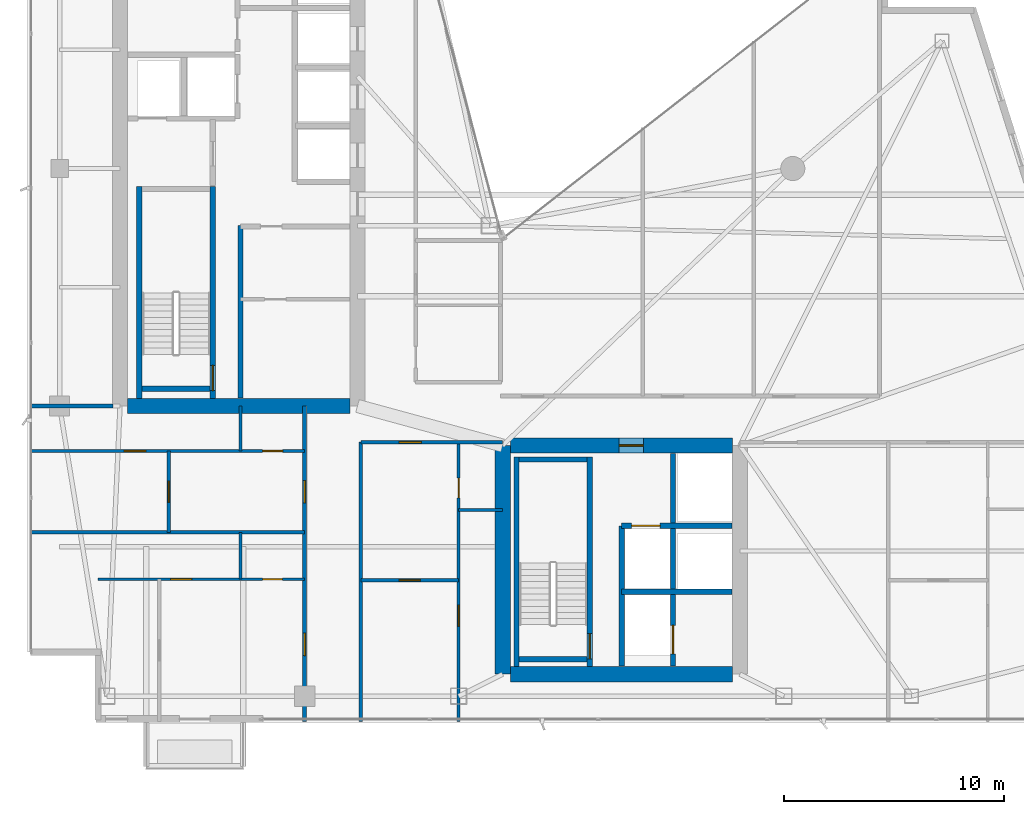
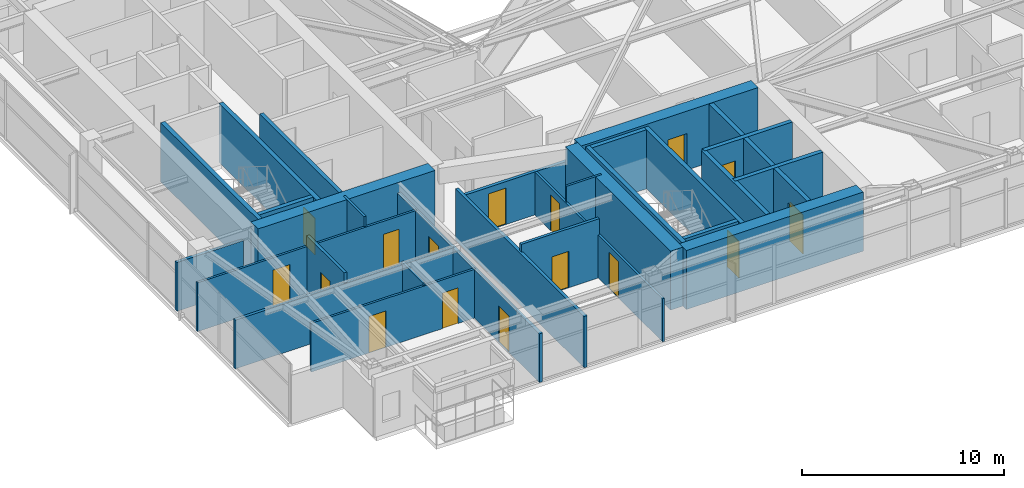
# One storey, part 24 of 30: 29 walls, 16 doors, 16 openings.
"""IFC4 building model written with IfcOpenShell, lengths in metres."""

from ifc_helpers import new_model, si_unit, direction, frame, frame_2d, origin, place, context, subcontext, project, spatial, rectangle, extrude, material, layer, layer_set, type_object, element, fill, save


model = new_model("IFC4")

# Units and contexts
model_context = context("Model", 3, precision=1e-05, world=origin(), true_north=direction((0.0, 1.0)))
body_context = subcontext(model_context, "Body", "Model", "MODEL_VIEW")
ifc_project = project(units=[si_unit("LENGTHUNIT", "METRE"), si_unit("AREAUNIT", "SQUARE_METRE"), si_unit("VOLUMEUNIT", "CUBIC_METRE"), si_unit("PLANEANGLEUNIT", "RADIAN"), si_unit("MASSUNIT", "GRAM", prefix="KILO")], contexts=[model_context])

# Site, building, storey
site_placement = place(None, origin())
site = spatial("IfcSite", under=ifc_project, at=site_placement, CompositionType="ELEMENT")
building_placement = place(site_placement, origin())
building = spatial("IfcBuilding", under=site, at=building_placement, Name="Calvorn Quay Hotel", CompositionType="ELEMENT")
storey_placement = place(building_placement, frame((0.0, 0.0, 207.199951171875)))
storey = spatial("IfcBuildingStorey", under=building, at=storey_placement, Name="L51", CompositionType="ELEMENT", Elevation=207.199951171875)

# Walls
ifc_material_1 = material(Name="Concrete C45", Category="concrete")
ifc_layer_1 = layer(ifc_material_1, 0.699951171875)
ifc_layer_set_1 = layer_set([ifc_layer_1], Name="WL-CORE-700")
wall_type_1 = type_object("IfcWallType", Name="WL-CORE-700", PredefinedType="SHEAR", material=ifc_layer_set_1)
wall_1_placement = place(storey_placement, frame((4.550048828125, 16.800048828125, 0.0), z_axis=(0.0, 0.0, 1.0), x_axis=(1.0, 0.0, 0.0)))
element("IfcWall", 1, at=wall_1_placement, inside=storey, type_object=wall_type_1, Name="West Core Shear Wall S (L51)", PredefinedType="SHEAR", context=body_context, shape_type="SweptSolid", body=[
    extrude(rectangle(XDim=10.099853515625, YDim=0.699951171875, at=frame_2d((5.0498046875, 0.0))), origin(), (0.0, 0.0, 1.0), 3.56005859375),
])
wall_2_placement = place(storey_placement, frame((21.60009765625, 4.60009765625, 0.0), z_axis=(0.0, 0.0, 1.0), x_axis=(0.0, 1.0, 0.0)))
element("IfcWall", 2, at=wall_2_placement, inside=storey, type_object=wall_type_1, Name="East Core Shear Wall W (L51)", PredefinedType="SHEAR", context=body_context, shape_type="SweptSolid", body=[
    extrude(rectangle(XDim=10.39990234375, YDim=0.699951171875, at=frame_2d((5.199951171875, 0.0))), origin(), (0.0, 0.0, 1.0), 3.56005859375),
])

# Wall, opening, door
wall_3_placement = place(storey_placement, frame((21.949951171875, 15.0, 0.0), z_axis=(0.0, 0.0, 1.0), x_axis=(1.0, 0.0, 0.0)))
wall_3 = element("IfcWall", 3, at=wall_3_placement, inside=storey, type_object=wall_type_1, Name="East Core Shear Wall N (L51)", PredefinedType="SHEAR", context=body_context, shape_type="SweptSolid", body=[
    extrude(rectangle(XDim=10.10009765625, YDim=0.699951171875, at=frame_2d((5.050048828125, 0.0))), origin(), (0.0, 0.0, 1.0), 3.56005859375),
])
opening_1_placement = place(wall_3_placement, frame((4.949951171875, 0.0, 0.0)))
opening_1 = element("IfcOpeningElement", 4, at=opening_1_placement, cuts=wall_3, Name="Opening D-L51-FLE", PredefinedType="OPENING", context=body_context, shape_type="SweptSolid", body=[
    extrude(rectangle(XDim=1.10009765625, YDim=2.199951171875, at=frame_2d((0.550048828125, 1.10009765625))), frame((0.0, 0.35986328125, 0.0), z_axis=(0.0, -1.0, 0.0), x_axis=(1.0, 0.0, 0.0)), (0.0, 0.0, 1.0), 0.719970703125),
])
ifc_material_2 = material(Name="Smoke-Sealed Steel Class A Fire Door", Category="steel")
door_type_1 = type_object("IfcDoorType", Name="DR-FFLOBBY-1100", OperationType="NOTDEFINED", PredefinedType="DOOR", material=ifc_material_2)
door_1_placement = place(opening_1_placement, origin())
door_1 = element("IfcDoor", 5, at=door_1_placement, inside=storey, type_object=door_type_1, Name="East Firefighting Lobby Fire Door (L51)", OperationType="SINGLE_SWING_LEFT", OverallHeight=2.199951171875, OverallWidth=1.10009765625, PredefinedType="DOOR", context=body_context, shape_type="SweptSolid", body=[
    extrude(rectangle(XDim=1.10009765625, YDim=2.199951171875, at=frame_2d((0.550048828125, 1.10009765625))), frame((0.0, 0.02490234375, 0.0), z_axis=(0.0, -1.0, 0.0), x_axis=(1.0, 0.0, 0.0)), (0.0, 0.0, 1.0), 0.050048828125),
])
fill(opening_1, door_1)

# Walls
wall_4_placement = place(storey_placement, frame((21.949951171875, 4.60009765625, 0.0), z_axis=(0.0, 0.0, 1.0), x_axis=(1.0, 0.0, 0.0)))
element("IfcWall", 6, at=wall_4_placement, inside=storey, type_object=wall_type_1, Name="East Core Shear Wall S (L51)", PredefinedType="SHEAR", context=body_context, shape_type="SweptSolid", body=[
    extrude(rectangle(XDim=10.10009765625, YDim=0.699951171875, at=frame_2d((5.050048828125, 0.0))), origin(), (0.0, 0.0, 1.0), 3.56005859375),
])
ifc_material_3 = material(Name="Acoustic Fireboard Steel-Stud Partition", Category="steel")
ifc_layer_2 = layer(ifc_material_3, 0.179931640625)
ifc_layer_set_2 = layer_set([ifc_layer_2], Name="WL-CORR-FIRE-180")
wall_type_2 = type_object("IfcWallType", Name="WL-CORR-FIRE-180", PredefinedType="PARTITIONING", material=ifc_layer_set_2)
wall_5_placement = place(storey_placement, frame((0.080078125, 16.800048828125, 0.0), z_axis=(0.0, 0.0, 1.0), x_axis=(1.0, 0.0, 0.0)))
element("IfcWall", 7, at=wall_5_placement, inside=storey, type_object=wall_type_2, Name="Partition Wall L51-WL-WBAY-S-WALL", PredefinedType="PARTITIONING", context=body_context, shape_type="SweptSolid", body=[
    extrude(rectangle(XDim=3.7998046875, YDim=0.179931640625, at=frame_2d((1.89990234375, 0.0))), origin(), (0.0, 0.0, 1.0), 2.93994140625),
])

# Wall, openings, doors
wall_6_placement = place(storey_placement, frame((12.60009765625, 2.43994140625, 0.0), z_axis=(0.0, 0.0, 1.0), x_axis=(0.0, 1.0, 0.0)))
wall_6 = element("IfcWall", 8, at=wall_6_placement, inside=storey, type_object=wall_type_2, Name="Partition Wall L51-WL-CORR-SW-LEG-W", PredefinedType="PARTITIONING", context=body_context, shape_type="SweptSolid", body=[
    extrude(rectangle(XDim=14.360107421875, YDim=0.179931640625, at=frame_2d((7.18017578125, 0.0))), origin(), (0.0, 0.0, 1.0), 2.93994140625),
])
opening_2_placement = place(wall_6_placement, frame((3.010009765625, 0.0, 0.0)))
opening_2 = element("IfcOpeningElement", 9, at=opening_2_placement, cuts=wall_6, Name="Opening D-L51-U01", PredefinedType="OPENING", context=body_context, shape_type="SweptSolid", body=[
    extrude(rectangle(XDim=1.02001953125, YDim=2.199951171875, at=frame_2d((0.510009765625, 1.10009765625))), frame((0.0, 0.099853515625, 0.0), z_axis=(0.0, -1.0, 0.0), x_axis=(1.0, 0.0, 0.0)), (0.0, 0.0, 1.0), 0.199951171875),
])
opening_3_placement = place(wall_6_placement, frame((9.949951171875, 0.0, 0.0)))
opening_3 = element("IfcOpeningElement", 10, at=opening_3_placement, cuts=wall_6, Name="Opening D-L51-U02", PredefinedType="OPENING", context=body_context, shape_type="SweptSolid", body=[
    extrude(rectangle(XDim=1.02001953125, YDim=2.199951171875, at=frame_2d((0.510009765625, 1.10009765625))), frame((0.0, 0.099853515625, 0.0), z_axis=(0.0, -1.0, 0.0), x_axis=(1.0, 0.0, 0.0)), (0.0, 0.0, 1.0), 0.199951171875),
])
ifc_material_4 = material(Name="Solid-Core Walnut Veneer Hotel Fire Door")
door_type_2 = type_object("IfcDoorType", Name="DR-GUEST-ENTRY-1020", OperationType="NOTDEFINED", PredefinedType="DOOR", material=ifc_material_4)
door_2_placement = place(opening_2_placement, origin())
door_2 = element("IfcDoor", 11, at=door_2_placement, inside=storey, type_object=door_type_2, Name="South-West Unit Door U01 (L51)", OperationType="SINGLE_SWING_LEFT", OverallHeight=2.199951171875, OverallWidth=1.02001953125, PredefinedType="DOOR", context=body_context, shape_type="SweptSolid", body=[
    extrude(rectangle(XDim=1.02001953125, YDim=2.199951171875, at=frame_2d((0.510009765625, 1.10009765625))), frame((0.0, 0.02490234375, 0.0), z_axis=(0.0, -1.0, 0.0), x_axis=(1.0, 0.0, 0.0)), (0.0, 0.0, 1.0), 0.050048828125),
])
fill(opening_2, door_2)
door_3_placement = place(opening_3_placement, origin())
door_3 = element("IfcDoor", 12, at=door_3_placement, inside=storey, type_object=door_type_2, Name="South-West Unit Door U02 (L51)", OperationType="SINGLE_SWING_RIGHT", OverallHeight=2.199951171875, OverallWidth=1.02001953125, PredefinedType="DOOR", context=body_context, shape_type="SweptSolid", body=[
    extrude(rectangle(XDim=1.02001953125, YDim=2.199951171875, at=frame_2d((0.510009765625, 1.10009765625))), frame((0.0, 0.02490234375, 0.0), z_axis=(0.0, -1.0, 0.0), x_axis=(1.0, 0.0, 0.0)), (0.0, 0.0, 1.0), 0.050048828125),
])
fill(opening_3, door_3)

# Wall
wall_7_placement = place(storey_placement, frame((15.14990234375, 2.43994140625, 0.0), z_axis=(0.0, 0.0, 1.0), x_axis=(0.0, 1.0, 0.0)))
element("IfcWall", 13, at=wall_7_placement, inside=storey, type_object=wall_type_2, Name="Partition Wall L51-WL-CORR-SW-W", PredefinedType="PARTITIONING", context=body_context, shape_type="SweptSolid", body=[
    extrude(rectangle(XDim=12.7099609375, YDim=0.179931640625, at=frame_2d((6.35498046875, 0.0))), origin(), (0.0, 0.0, 1.0), 3.090087890625),
])

# Wall, opening, door
wall_8_placement = place(storey_placement, frame((15.14990234375, 15.14990234375, 0.0), z_axis=(0.0, 0.0, 1.0), x_axis=(1.0, 0.0, 0.0)))
wall_8 = element("IfcWall", 14, at=wall_8_placement, inside=storey, type_object=wall_type_2, Name="Partition Wall L51-WL-SC-CORR-S", PredefinedType="PARTITIONING", context=body_context, shape_type="SweptSolid", body=[
    extrude(rectangle(XDim=6.4501953125, YDim=0.179931640625, at=frame_2d((3.22509765625, 0.0))), origin(), (0.0, 0.0, 1.0), 2.590087890625),
])
opening_4_placement = place(wall_8_placement, frame((1.739990234375, 0.0, 0.0)))
opening_4 = element("IfcOpeningElement", 15, at=opening_4_placement, cuts=wall_8, Name="Opening D-L51-U03", PredefinedType="OPENING", context=body_context, shape_type="SweptSolid", body=[
    extrude(rectangle(XDim=1.02001953125, YDim=2.199951171875, at=frame_2d((0.510009765625, 1.10009765625))), frame((0.0, 0.099853515625, 0.0), z_axis=(0.0, -1.0, 0.0), x_axis=(1.0, 0.0, 0.0)), (0.0, 0.0, 1.0), 0.199951171875),
])
door_4_placement = place(opening_4_placement, origin())
door_4 = element("IfcDoor", 16, at=door_4_placement, inside=storey, type_object=door_type_2, Name="Harbour Central Unit Door (L51)", OperationType="SINGLE_SWING_LEFT", OverallHeight=2.199951171875, OverallWidth=1.02001953125, PredefinedType="DOOR", context=body_context, shape_type="SweptSolid", body=[
    extrude(rectangle(XDim=1.02001953125, YDim=2.199951171875, at=frame_2d((0.510009765625, 1.10009765625))), frame((0.0, 0.02490234375, 0.0), z_axis=(0.0, -1.0, 0.0), x_axis=(1.0, 0.0, 0.0)), (0.0, 0.0, 1.0), 0.050048828125),
])
fill(opening_4, door_4)

# Wall
ifc_material_5 = material(Name="Moisture-Resistant Tile-Backed Partition")
ifc_layer_3 = layer(ifc_material_5, 0.125)
ifc_layer_set_3 = layer_set([ifc_layer_3], Name="WL-ENSUITE-125")
wall_type_3 = type_object("IfcWallType", Name="WL-ENSUITE-125", PredefinedType="PARTITIONING", material=ifc_layer_set_3)
wall_9_placement = place(storey_placement, frame((9.679931640625, 8.919921875, 0.0), z_axis=(0.0, 0.0, 1.0), x_axis=(0.0, 1.0, 0.0)))
element("IfcWall", 17, at=wall_9_placement, inside=storey, type_object=wall_type_3, Name="Partition Wall L51-WL-U01-BDV", PredefinedType="PARTITIONING", context=body_context, shape_type="SweptSolid", body=[
    extrude(rectangle(XDim=2.130126953125, YDim=0.125, at=frame_2d((1.06494140625, 0.0))), origin(), (0.0, 0.0, 1.0), 3.090087890625),
])

# Wall, openings, doors
wall_10_placement = place(storey_placement, frame((3.199951171875, 8.919921875, 0.0), z_axis=(0.0, 0.0, 1.0), x_axis=(1.0, 0.0, 0.0)))
wall_10 = element("IfcWall", 18, at=wall_10_placement, inside=storey, type_object=wall_type_3, Name="Partition Wall L51-WL-U01-BH", PredefinedType="PARTITIONING", context=body_context, shape_type="SweptSolid", body=[
    extrude(rectangle(XDim=9.400146484375, YDim=0.125, at=frame_2d((4.7001953125, 0.0))), origin(), (0.0, 0.0, 1.0), 2.93994140625),
])
opening_5_placement = place(wall_10_placement, frame((3.300048828125, 0.0, 0.0)))
opening_5 = element("IfcOpeningElement", 19, at=opening_5_placement, cuts=wall_10, Name="Opening D-L51-S01", PredefinedType="OPENING", context=body_context, shape_type="SweptSolid", body=[
    extrude(rectangle(XDim=0.9599609375, YDim=2.199951171875, at=frame_2d((0.47998046875, 1.10009765625))), frame((0.0, 0.072509765625, 0.0), z_axis=(0.0, -1.0, 0.0), x_axis=(1.0, 0.0, 0.0)), (0.0, 0.0, 1.0), 0.14501953125),
])
opening_6_placement = place(wall_10_placement, frame((7.489990234375, 0.0, 0.0)))
opening_6 = element("IfcOpeningElement", 20, at=opening_6_placement, cuts=wall_10, Name="Opening D-L51-E01", PredefinedType="OPENING", context=body_context, shape_type="SweptSolid", body=[
    extrude(rectangle(XDim=0.89990234375, YDim=2.14990234375, at=frame_2d((0.449951171875, 1.074951171875))), frame((0.0, 0.072509765625, 0.0), z_axis=(0.0, -1.0, 0.0), x_axis=(1.0, 0.0, 0.0)), (0.0, 0.0, 1.0), 0.14501953125),
])
ifc_material_6 = material(Name="Moisture-Sealed Timber En-Suite Door", Category="wood")
door_type_3 = type_object("IfcDoorType", Name="DR-ENSUITE-900", OperationType="NOTDEFINED", PredefinedType="DOOR", material=ifc_material_6)
door_5_placement = place(opening_6_placement, origin())
door_5 = element("IfcDoor", 21, at=door_5_placement, inside=storey, type_object=door_type_3, Name="En-Suite Door 01", OperationType="SINGLE_SWING_RIGHT", OverallHeight=2.14990234375, OverallWidth=0.89990234375, PredefinedType="DOOR", context=body_context, shape_type="SweptSolid", body=[
    extrude(rectangle(XDim=0.89990234375, YDim=2.14990234375, at=frame_2d((0.449951171875, 1.074951171875))), frame((0.0, 0.02490234375, 0.0), z_axis=(0.0, -1.0, 0.0), x_axis=(1.0, 0.0, 0.0)), (0.0, 0.0, 1.0), 0.050048828125),
])
fill(opening_6, door_5)
ifc_material_7 = material(Name="Solid Timber Internal Suite Door", Category="wood")
door_type_4 = type_object("IfcDoorType", Name="DR-SUITE-INT-960", OperationType="NOTDEFINED", PredefinedType="DOOR", material=ifc_material_7)
door_6_placement = place(opening_5_placement, origin())
door_6 = element("IfcDoor", 22, at=door_6_placement, inside=storey, type_object=door_type_4, Name="Harbour Tea Room Door 01", OperationType="SINGLE_SWING_LEFT", OverallHeight=2.199951171875, OverallWidth=0.9599609375, PredefinedType="DOOR", context=body_context, shape_type="SweptSolid", body=[
    extrude(rectangle(XDim=0.9599609375, YDim=2.199951171875, at=frame_2d((0.47998046875, 1.10009765625))), frame((0.0, 0.02490234375, 0.0), z_axis=(0.0, -1.0, 0.0), x_axis=(1.0, 0.0, 0.0)), (0.0, 0.0, 1.0), 0.050048828125),
])
fill(opening_5, door_6)

# Wall
wall_11_placement = place(storey_placement, frame((9.679931640625, 14.75, 0.0), z_axis=(0.0, 0.0, 1.0), x_axis=(0.0, 1.0, 0.0)))
element("IfcWall", 23, at=wall_11_placement, inside=storey, type_object=wall_type_3, Name="Partition Wall L51-WL-U02-BDV", PredefinedType="PARTITIONING", context=body_context, shape_type="SweptSolid", body=[
    extrude(rectangle(XDim=2.050048828125, YDim=0.125, at=frame_2d((1.02490234375, 0.0))), origin(), (0.0, 0.0, 1.0), 3.56005859375),
])

# Wall, openings, doors
wall_12_placement = place(storey_placement, frame((0.080078125, 14.75, 0.0), z_axis=(0.0, 0.0, 1.0), x_axis=(1.0, 0.0, 0.0)))
wall_12 = element("IfcWall", 24, at=wall_12_placement, inside=storey, type_object=wall_type_3, Name="Partition Wall L51-WL-U02-BH", PredefinedType="PARTITIONING", context=body_context, shape_type="SweptSolid", body=[
    extrude(rectangle(XDim=12.52001953125, YDim=0.125, at=frame_2d((6.260009765625, 0.0))), origin(), (0.0, 0.0, 1.0), 2.93994140625),
])
opening_7_placement = place(wall_12_placement, frame((4.320068359375, 0.0, 0.0)))
opening_7 = element("IfcOpeningElement", 25, at=opening_7_placement, cuts=wall_12, Name="Opening D-L51-S02", PredefinedType="OPENING", context=body_context, shape_type="SweptSolid", body=[
    extrude(rectangle(XDim=0.9599609375, YDim=2.199951171875, at=frame_2d((0.47998046875, 1.10009765625))), frame((0.0, 0.072509765625, 0.0), z_axis=(0.0, -1.0, 0.0), x_axis=(1.0, 0.0, 0.0)), (0.0, 0.0, 1.0), 0.14501953125),
])
opening_8_placement = place(wall_12_placement, frame((10.610107421875, 0.0, 0.0)))
opening_8 = element("IfcOpeningElement", 26, at=opening_8_placement, cuts=wall_12, Name="Opening D-L51-E02", PredefinedType="OPENING", context=body_context, shape_type="SweptSolid", body=[
    extrude(rectangle(XDim=0.89990234375, YDim=2.14990234375, at=frame_2d((0.449951171875, 1.074951171875))), frame((0.0, 0.072509765625, 0.0), z_axis=(0.0, -1.0, 0.0), x_axis=(1.0, 0.0, 0.0)), (0.0, 0.0, 1.0), 0.14501953125),
])
door_7_placement = place(opening_8_placement, origin())
door_7 = element("IfcDoor", 27, at=door_7_placement, inside=storey, type_object=door_type_3, Name="En-Suite Door 02", OperationType="SINGLE_SWING_RIGHT", OverallHeight=2.14990234375, OverallWidth=0.89990234375, PredefinedType="DOOR", context=body_context, shape_type="SweptSolid", body=[
    extrude(rectangle(XDim=0.89990234375, YDim=2.14990234375, at=frame_2d((0.449951171875, 1.074951171875))), frame((0.0, 0.02490234375, 0.0), z_axis=(0.0, -1.0, 0.0), x_axis=(1.0, 0.0, 0.0)), (0.0, 0.0, 1.0), 0.050048828125),
])
fill(opening_8, door_7)
door_8_placement = place(opening_7_placement, origin())
door_8 = element("IfcDoor", 28, at=door_8_placement, inside=storey, type_object=door_type_4, Name="Harbour Tea Room Door 02", OperationType="SINGLE_SWING_LEFT", OverallHeight=2.199951171875, OverallWidth=0.9599609375, PredefinedType="DOOR", context=body_context, shape_type="SweptSolid", body=[
    extrude(rectangle(XDim=0.9599609375, YDim=2.199951171875, at=frame_2d((0.47998046875, 1.10009765625))), frame((0.0, 0.02490234375, 0.0), z_axis=(0.0, -1.0, 0.0), x_axis=(1.0, 0.0, 0.0)), (0.0, 0.0, 1.0), 0.050048828125),
])
fill(opening_7, door_8)

# Wall
wall_13_placement = place(storey_placement, frame((19.60009765625, 12.070068359375, 0.0), z_axis=(0.0, 0.0, 1.0), x_axis=(1.0, 0.0, 0.0)))
element("IfcWall", 29, at=wall_13_placement, inside=storey, type_object=wall_type_3, Name="Partition Wall L51-WL-U03-BDV", PredefinedType="PARTITIONING", context=body_context, shape_type="SweptSolid", body=[
    extrude(rectangle(XDim=2.0, YDim=0.125, at=frame_2d((1.0, 0.0))), origin(), (0.0, 0.0, 1.0), 3.56005859375),
])

# Wall, openings, doors
wall_14_placement = place(storey_placement, frame((19.60009765625, 2.43994140625, 0.0), z_axis=(0.0, 0.0, 1.0), x_axis=(0.0, 1.0, 0.0)))
wall_14 = element("IfcWall", 30, at=wall_14_placement, inside=storey, type_object=wall_type_3, Name="Partition Wall L51-WL-U03-BV", PredefinedType="PARTITIONING", context=body_context, shape_type="SweptSolid", body=[
    extrude(rectangle(XDim=12.7099609375, YDim=0.125, at=frame_2d((6.35498046875, 0.0))), origin(), (0.0, 0.0, 1.0), 2.590087890625),
])
opening_9_placement = place(wall_14_placement, frame((4.340087890625, 0.0, 0.0)))
opening_9 = element("IfcOpeningElement", 31, at=opening_9_placement, cuts=wall_14, Name="Opening D-L51-S03", PredefinedType="OPENING", context=body_context, shape_type="SweptSolid", body=[
    extrude(rectangle(XDim=0.9599609375, YDim=2.199951171875, at=frame_2d((0.47998046875, 1.10009765625))), frame((0.0, 0.072509765625, 0.0), z_axis=(0.0, -1.0, 0.0), x_axis=(1.0, 0.0, 0.0)), (0.0, 0.0, 1.0), 0.14501953125),
])
opening_10_placement = place(wall_14_placement, frame((10.179931640625, 0.0, 0.0)))
opening_10 = element("IfcOpeningElement", 32, at=opening_10_placement, cuts=wall_14, Name="Opening D-L51-E03", PredefinedType="OPENING", context=body_context, shape_type="SweptSolid", body=[
    extrude(rectangle(XDim=0.89990234375, YDim=2.14990234375, at=frame_2d((0.449951171875, 1.074951171875))), frame((0.0, 0.072509765625, 0.0), z_axis=(0.0, -1.0, 0.0), x_axis=(1.0, 0.0, 0.0)), (0.0, 0.0, 1.0), 0.14501953125),
])
door_9_placement = place(opening_10_placement, origin())
door_9 = element("IfcDoor", 33, at=door_9_placement, inside=storey, type_object=door_type_3, Name="En-Suite Door 03", OperationType="SINGLE_SWING_RIGHT", OverallHeight=2.14990234375, OverallWidth=0.89990234375, PredefinedType="DOOR", context=body_context, shape_type="SweptSolid", body=[
    extrude(rectangle(XDim=0.89990234375, YDim=2.14990234375, at=frame_2d((0.449951171875, 1.074951171875))), frame((0.0, 0.02490234375, 0.0), z_axis=(0.0, -1.0, 0.0), x_axis=(1.0, 0.0, 0.0)), (0.0, 0.0, 1.0), 0.050048828125),
])
fill(opening_10, door_9)
door_10_placement = place(opening_9_placement, origin())
door_10 = element("IfcDoor", 34, at=door_10_placement, inside=storey, type_object=door_type_4, Name="Harbour Tea Room Door 03", OperationType="SINGLE_SWING_LEFT", OverallHeight=2.199951171875, OverallWidth=0.9599609375, PredefinedType="DOOR", context=body_context, shape_type="SweptSolid", body=[
    extrude(rectangle(XDim=0.9599609375, YDim=2.199951171875, at=frame_2d((0.47998046875, 1.10009765625))), frame((0.0, 0.02490234375, 0.0), z_axis=(0.0, -1.0, 0.0), x_axis=(1.0, 0.0, 0.0)), (0.0, 0.0, 1.0), 0.050048828125),
])
fill(opening_9, door_10)

# Wall, opening, door
ifc_material_8 = material(Name="Double-Stud Acoustic Gypsum Partition")
ifc_layer_4 = layer(ifc_material_8, 0.159912109375)
ifc_layer_set_4 = layer_set([ifc_layer_4], Name="WL-INTERSUITE-160")
wall_type_4 = type_object("IfcWallType", Name="WL-INTERSUITE-160", PredefinedType="PARTITIONING", material=ifc_layer_set_4)
wall_15_placement = place(storey_placement, frame((6.419921875, 11.050048828125, 0.0), z_axis=(0.0, 0.0, 1.0), x_axis=(0.0, 1.0, 0.0)))
wall_15 = element("IfcWall", 35, at=wall_15_placement, inside=storey, type_object=wall_type_4, Name="Partition Wall L51-WL-U02-MSP", PredefinedType="PARTITIONING", context=body_context, shape_type="SweptSolid", body=[
    extrude(rectangle(XDim=3.699951171875, YDim=0.159912109375, at=frame_2d((1.85009765625, 0.0))), origin(), (0.0, 0.0, 1.0), 3.56005859375),
])
opening_11_placement = place(wall_15_placement, frame((1.3701171875, 0.0, 0.0)))
opening_11 = element("IfcOpeningElement", 36, at=opening_11_placement, cuts=wall_15, Name="Opening D-L51-M02", PredefinedType="OPENING", context=body_context, shape_type="SweptSolid", body=[
    extrude(rectangle(XDim=0.9599609375, YDim=2.199951171875, at=frame_2d((0.47998046875, 1.10009765625))), frame((0.0, 0.08984375, 0.0), z_axis=(0.0, -1.0, 0.0), x_axis=(1.0, 0.0, 0.0)), (0.0, 0.0, 1.0), 0.179931640625),
])
door_11_placement = place(opening_11_placement, origin())
door_11 = element("IfcDoor", 37, at=door_11_placement, inside=storey, type_object=door_type_4, Name="Suite Bedroom Door 02", OperationType="SINGLE_SWING_LEFT", OverallHeight=2.199951171875, OverallWidth=0.9599609375, PredefinedType="DOOR", context=body_context, shape_type="SweptSolid", body=[
    extrude(rectangle(XDim=0.9599609375, YDim=2.199951171875, at=frame_2d((0.47998046875, 1.10009765625))), frame((0.0, 0.02490234375, 0.0), z_axis=(0.0, -1.0, 0.0), x_axis=(1.0, 0.0, 0.0)), (0.0, 0.0, 1.0), 0.050048828125),
])
fill(opening_11, door_11)

# Wall
wall_16_placement = place(storey_placement, frame((0.080078125, 11.050048828125, 0.0), z_axis=(0.0, 0.0, 1.0), x_axis=(1.0, 0.0, 0.0)))
element("IfcWall", 38, at=wall_16_placement, inside=storey, type_object=wall_type_4, Name="Partition Wall L51-WL-SW-DIV-1", PredefinedType="PARTITIONING", context=body_context, shape_type="SweptSolid", body=[
    extrude(rectangle(XDim=12.52001953125, YDim=0.159912109375, at=frame_2d((6.260009765625, 0.0))), origin(), (0.0, 0.0, 1.0), 2.93994140625),
])

# Wall, opening, door
wall_17_placement = place(storey_placement, frame((15.14990234375, 8.8701171875, 0.0), z_axis=(0.0, 0.0, 1.0), x_axis=(1.0, 0.0, 0.0)))
wall_17 = element("IfcWall", 39, at=wall_17_placement, inside=storey, type_object=wall_type_4, Name="Partition Wall L51-WL-U03-MSP", PredefinedType="PARTITIONING", context=body_context, shape_type="SweptSolid", body=[
    extrude(rectangle(XDim=4.4501953125, YDim=0.159912109375, at=frame_2d((2.22509765625, 0.0))), origin(), (0.0, 0.0, 1.0), 3.56005859375),
])
opening_12_placement = place(wall_17_placement, frame((1.75, 0.0, 0.0)))
opening_12 = element("IfcOpeningElement", 40, at=opening_12_placement, cuts=wall_17, Name="Opening D-L51-M03", PredefinedType="OPENING", context=body_context, shape_type="SweptSolid", body=[
    extrude(rectangle(XDim=0.9599609375, YDim=2.199951171875, at=frame_2d((0.47998046875, 1.10009765625))), frame((0.0, 0.08984375, 0.0), z_axis=(0.0, -1.0, 0.0), x_axis=(1.0, 0.0, 0.0)), (0.0, 0.0, 1.0), 0.179931640625),
])
door_12_placement = place(opening_12_placement, origin())
door_12 = element("IfcDoor", 41, at=door_12_placement, inside=storey, type_object=door_type_4, Name="Suite Bedroom Door 03", OperationType="SINGLE_SWING_LEFT", OverallHeight=2.199951171875, OverallWidth=0.9599609375, PredefinedType="DOOR", context=body_context, shape_type="SweptSolid", body=[
    extrude(rectangle(XDim=0.9599609375, YDim=2.199951171875, at=frame_2d((0.47998046875, 1.10009765625))), frame((0.0, 0.02490234375, 0.0), z_axis=(0.0, -1.0, 0.0), x_axis=(1.0, 0.0, 0.0)), (0.0, 0.0, 1.0), 0.050048828125),
])
fill(opening_12, door_12)

# Walls
ifc_material_9 = material(Name="Autoclaved Aerated Masonry Block", Category="masonry")
ifc_layer_5 = layer(ifc_material_9, 0.219970703125)
ifc_layer_set_5 = layer_set([ifc_layer_5], Name="WL-LOBBY-FIRE-220")
wall_type_5 = type_object("IfcWallType", Name="WL-LOBBY-FIRE-220", PredefinedType="SOLIDWALL", material=ifc_layer_set_5)
wall_18_placement = place(storey_placement, frame((9.679931640625, 17.169921875, 0.0), z_axis=(0.0, 0.0, 1.0), x_axis=(0.0, 1.0, 0.0)))
element("IfcWall", 42, at=wall_18_placement, inside=storey, type_object=wall_type_5, Name="Partition Wall L51-WL-CWW-STW-HALL-E", PredefinedType="SOLIDWALL", context=body_context, shape_type="SweptSolid", body=[
    extrude(rectangle(XDim=7.830078125, YDim=0.219970703125, at=frame_2d((3.9150390625, 0.0))), origin(), (0.0, 0.0, 1.0), 3.56005859375),
])
ifc_material_10 = material(Name="Concrete C40", Category="concrete")
ifc_layer_6 = layer(ifc_material_10, 0.239990234375)
ifc_layer_set_6 = layer_set([ifc_layer_6], Name="WL-SHAFT-240")
wall_type_6 = type_object("IfcWallType", Name="WL-SHAFT-240", PredefinedType="SOLIDWALL", material=ifc_layer_set_6)
wall_19_placement = place(storey_placement, frame((5.080078125, 17.14990234375, 0.0), z_axis=(0.0, 0.0, 1.0), x_axis=(0.0, 1.0, 0.0)))
element("IfcWall", 43, at=wall_19_placement, inside=storey, type_object=wall_type_6, Name="Stair STW Shaft Wall W (L51)", PredefinedType="SOLIDWALL", context=body_context, shape_type="SweptSolid", body=[
    extrude(rectangle(XDim=9.64013671875, YDim=0.239990234375, at=frame_2d((4.820068359375, 0.0))), origin(), (0.0, 0.0, 1.0), 3.56005859375),
])

# Wall, opening, door
wall_20_placement = place(storey_placement, frame((8.419921875, 17.14990234375, 0.0), z_axis=(0.0, 0.0, 1.0), x_axis=(0.0, 1.0, 0.0)))
wall_20 = element("IfcWall", 44, at=wall_20_placement, inside=storey, type_object=wall_type_6, Name="Stair STW Shaft Wall E (L51)", PredefinedType="SOLIDWALL", context=body_context, shape_type="SweptSolid", body=[
    extrude(rectangle(XDim=9.64013671875, YDim=0.239990234375, at=frame_2d((4.820068359375, 0.0))), origin(), (0.0, 0.0, 1.0), 3.56005859375),
])
opening_13_placement = place(wall_20_placement, frame((0.35009765625, 0.0, 0.0)))
opening_13 = element("IfcOpeningElement", 45, at=opening_13_placement, cuts=wall_20, Name="Opening D-L51-STW", PredefinedType="OPENING", context=body_context, shape_type="SweptSolid", body=[
    extrude(rectangle(XDim=1.14990234375, YDim=2.199951171875, at=frame_2d((0.574951171875, 1.10009765625))), frame((0.0, 0.1298828125, 0.0), z_axis=(0.0, -1.0, 0.0), x_axis=(1.0, 0.0, 0.0)), (0.0, 0.0, 1.0), 0.260009765625),
])
ifc_material_11 = material(Name="Galvanised Steel Class A Fire Door", Category="steel")
door_type_5 = type_object("IfcDoorType", Name="DR-STAIR-SMOKE-1150", OperationType="NOTDEFINED", PredefinedType="DOOR", material=ifc_material_11)
door_13_placement = place(opening_13_placement, origin())
door_13 = element("IfcDoor", 46, at=door_13_placement, inside=storey, type_object=door_type_5, Name="Stair ST-W Fire Door (L51)", OperationType="SINGLE_SWING_LEFT", OverallHeight=2.199951171875, OverallWidth=1.14990234375, PredefinedType="DOOR", context=body_context, shape_type="SweptSolid", body=[
    extrude(rectangle(XDim=1.14990234375, YDim=2.199951171875, at=frame_2d((0.574951171875, 1.10009765625))), frame((0.0, 0.02490234375, 0.0), z_axis=(0.0, -1.0, 0.0), x_axis=(1.0, 0.0, 0.0)), (0.0, 0.0, 1.0), 0.050048828125),
])
fill(opening_13, door_13)

# Walls
wall_21_placement = place(storey_placement, frame((5.199951171875, 17.580078125, 0.0), z_axis=(0.0, 0.0, 1.0), x_axis=(1.0, 0.0, 0.0)))
element("IfcWall", 47, at=wall_21_placement, inside=storey, type_object=wall_type_6, Name="Stair STW Shaft Wall S (L51)", PredefinedType="SOLIDWALL", context=body_context, shape_type="SweptSolid", body=[
    extrude(rectangle(XDim=3.10009765625, YDim=0.239990234375, at=frame_2d((1.550048828125, 0.0))), origin(), (0.0, 0.0, 1.0), 3.56005859375),
])
wall_22_placement = place(storey_placement, frame((22.22998046875, 4.949951171875, 0.0), z_axis=(0.0, 0.0, 1.0), x_axis=(0.0, 1.0, 0.0)))
element("IfcWall", 48, at=wall_22_placement, inside=storey, type_object=wall_type_6, Name="Stair STE Shaft Wall W (L51)", PredefinedType="SOLIDWALL", context=body_context, shape_type="SweptSolid", body=[
    extrude(rectangle(XDim=9.5400390625, YDim=0.239990234375, at=frame_2d((4.77001953125, 0.0))), origin(), (0.0, 0.0, 1.0), 3.56005859375),
])

# Wall, opening, door
wall_23_placement = place(storey_placement, frame((25.570068359375, 4.949951171875, 0.0), z_axis=(0.0, 0.0, 1.0), x_axis=(0.0, 1.0, 0.0)))
wall_23 = element("IfcWall", 49, at=wall_23_placement, inside=storey, type_object=wall_type_6, Name="Stair STE Shaft Wall E (L51)", PredefinedType="SOLIDWALL", context=body_context, shape_type="SweptSolid", body=[
    extrude(rectangle(XDim=9.5400390625, YDim=0.239990234375, at=frame_2d((4.77001953125, 0.0))), origin(), (0.0, 0.0, 1.0), 3.56005859375),
])
opening_14_placement = place(wall_23_placement, frame((0.35009765625, 0.0, 0.0)))
opening_14 = element("IfcOpeningElement", 50, at=opening_14_placement, cuts=wall_23, Name="Opening D-L51-STE", PredefinedType="OPENING", context=body_context, shape_type="SweptSolid", body=[
    extrude(rectangle(XDim=1.14990234375, YDim=2.199951171875, at=frame_2d((0.574951171875, 1.10009765625))), frame((0.0, 0.1298828125, 0.0), z_axis=(0.0, -1.0, 0.0), x_axis=(1.0, 0.0, 0.0)), (0.0, 0.0, 1.0), 0.260009765625),
])
door_14_placement = place(opening_14_placement, origin())
door_14 = element("IfcDoor", 51, at=door_14_placement, inside=storey, type_object=door_type_5, Name="Stair ST-E Fire Door (L51)", OperationType="SINGLE_SWING_RIGHT", OverallHeight=2.199951171875, OverallWidth=1.14990234375, PredefinedType="DOOR", context=body_context, shape_type="SweptSolid", body=[
    extrude(rectangle(XDim=1.14990234375, YDim=2.199951171875, at=frame_2d((0.574951171875, 1.10009765625))), frame((0.0, 0.02490234375, 0.0), z_axis=(0.0, -1.0, 0.0), x_axis=(1.0, 0.0, 0.0)), (0.0, 0.0, 1.0), 0.050048828125),
])
fill(opening_14, door_14)

# Walls
for number, where, z_axis, x_axis, name in (
    (52, (22.35009765625, 5.280029296875, 0.0), (0.0, 0.0, 1.0), (1.0, 0.0, 0.0), "Stair STE Shaft Wall S (L51)"),
    (53, (22.35009765625, 14.3701171875, 0.0), (0.0, 0.0, 1.0), (1.0, 0.0, 0.0), "Stair STE Shaft Wall N (L51)"),
):
    element("IfcWall", number, at=place(storey_placement, frame(where, z_axis=z_axis, x_axis=x_axis)), inside=storey, type_object=wall_type_6, Name=name, PredefinedType="SOLIDWALL", context=body_context, shape_type="SweptSolid", body=[
        extrude(rectangle(XDim=3.099853515625, YDim=0.239990234375, at=frame_2d((1.5498046875, 0.0))), origin(), (0.0, 0.0, 1.0), 3.56005859375),
    ])
wall_24_placement = place(storey_placement, frame((27.02001953125, 4.969970703125, 0.0), z_axis=(0.0, 0.0, 1.0), x_axis=(0.0, 1.0, 0.0)))
element("IfcWall", 54, at=wall_24_placement, inside=storey, type_object=wall_type_6, Name="Partition Wall L51-WL-CWE-SH-W", PredefinedType="SOLIDWALL", context=body_context, shape_type="SweptSolid", body=[
    extrude(rectangle(XDim=6.380126953125, YDim=0.239990234375, at=frame_2d((3.18994140625, 0.0))), origin(), (0.0, 0.0, 1.0), 3.56005859375),
])

# Wall, opening, door
wall_25_placement = place(storey_placement, frame((27.02001953125, 11.35009765625, 0.0), z_axis=(0.0, 0.0, 1.0), x_axis=(1.0, 0.0, 0.0)))
wall_25 = element("IfcWall", 55, at=wall_25_placement, inside=storey, type_object=wall_type_6, Name="Partition Wall L51-WL-CWE-FFL-S", PredefinedType="SOLIDWALL", context=body_context, shape_type="SweptSolid", body=[
    extrude(rectangle(XDim=5.010009765625, YDim=0.239990234375, at=frame_2d((2.5048828125, 0.0))), origin(), (0.0, 0.0, 1.0), 3.56005859375),
])
opening_15_placement = place(wall_25_placement, frame((0.449951171875, 0.0, 0.0)))
opening_15 = element("IfcOpeningElement", 56, at=opening_15_placement, cuts=wall_25, Name="Opening LD-L51-FLE1", PredefinedType="OPENING", context=body_context, shape_type="SweptSolid", body=[
    extrude(rectangle(XDim=1.300048828125, YDim=2.35009765625, at=frame_2d((0.64990234375, 1.175048828125))), frame((0.0, 0.1298828125, 0.0), z_axis=(0.0, -1.0, 0.0), x_axis=(1.0, 0.0, 0.0)), (0.0, 0.0, 1.0), 0.260009765625),
])
ifc_material_12 = material(Name="Champagne-Bronze Sliding Express Lift Landing Door")
door_type_6 = type_object("IfcDoorType", Name="DR-LIFT-SHUTTLE-1300", OperationType="NOTDEFINED", PredefinedType="DOOR", material=ifc_material_12)
door_15_placement = place(opening_15_placement, origin())
door_15 = element("IfcDoor", 57, at=door_15_placement, inside=storey, type_object=door_type_6, Name="Firefighting Lift FL-E1 Landing Door (L51)", OperationType="DOUBLE_DOOR_SLIDING", OverallHeight=2.35009765625, OverallWidth=1.300048828125, PredefinedType="DOOR", context=body_context, shape_type="SweptSolid", body=[
    extrude(rectangle(XDim=1.300048828125, YDim=2.35009765625, at=frame_2d((0.64990234375, 1.175048828125))), frame((0.0, 0.02490234375, 0.0), z_axis=(0.0, -1.0, 0.0), x_axis=(1.0, 0.0, 0.0)), (0.0, 0.0, 1.0), 0.050048828125),
])
fill(opening_15, door_15)

# Wall
wall_26_placement = place(storey_placement, frame((27.02001953125, 8.35009765625, 0.0), z_axis=(0.0, 0.0, 1.0), x_axis=(1.0, 0.0, 0.0)))
element("IfcWall", 58, at=wall_26_placement, inside=storey, type_object=wall_type_6, Name="Partition Wall L51-WL-CWE-SL-N", PredefinedType="SOLIDWALL", context=body_context, shape_type="SweptSolid", body=[
    extrude(rectangle(XDim=5.010009765625, YDim=0.239990234375, at=frame_2d((2.5048828125, 0.0))), origin(), (0.0, 0.0, 1.0), 3.56005859375),
])

# Wall, opening, door
wall_27_placement = place(storey_placement, frame((29.35009765625, 4.969970703125, 0.0), z_axis=(0.0, 0.0, 1.0), x_axis=(0.0, 1.0, 0.0)))
wall_27 = element("IfcWall", 59, at=wall_27_placement, inside=storey, type_object=wall_type_6, Name="Partition Wall L51-WL-CWE-OB-W", PredefinedType="SOLIDWALL", context=body_context, shape_type="SweptSolid", body=[
    extrude(rectangle(XDim=9.659912109375, YDim=0.239990234375, at=frame_2d((4.830078125, 0.0))), origin(), (0.0, 0.0, 1.0), 3.56005859375),
])
opening_16_placement = place(wall_27_placement, frame((0.550048828125, 0.0, 0.0)))
opening_16 = element("IfcOpeningElement", 60, at=opening_16_placement, cuts=wall_27, Name="Opening LD-L51-SLEI", PredefinedType="OPENING", context=body_context, shape_type="SweptSolid", body=[
    extrude(rectangle(XDim=1.300048828125, YDim=2.35009765625, at=frame_2d((0.64990234375, 1.175048828125))), frame((0.0, 0.1298828125, 0.0), z_axis=(0.0, -1.0, 0.0), x_axis=(1.0, 0.0, 0.0)), (0.0, 0.0, 1.0), 0.260009765625),
])
door_16_placement = place(opening_16_placement, origin())
door_16 = element("IfcDoor", 61, at=door_16_placement, inside=storey, type_object=door_type_6, Name="Service Lift SL-E1 Landing Door (L51)", OperationType="DOUBLE_DOOR_SLIDING", OverallHeight=2.35009765625, OverallWidth=1.300048828125, PredefinedType="DOOR", context=body_context, shape_type="SweptSolid", body=[
    extrude(rectangle(XDim=1.300048828125, YDim=2.35009765625, at=frame_2d((0.64990234375, 1.175048828125))), frame((0.0, 0.02490234375, 0.0), z_axis=(0.0, -1.0, 0.0), x_axis=(1.0, 0.0, 0.0)), (0.0, 0.0, 1.0), 0.050048828125),
])
fill(opening_16, door_16)

save(model, "model.ifc")
